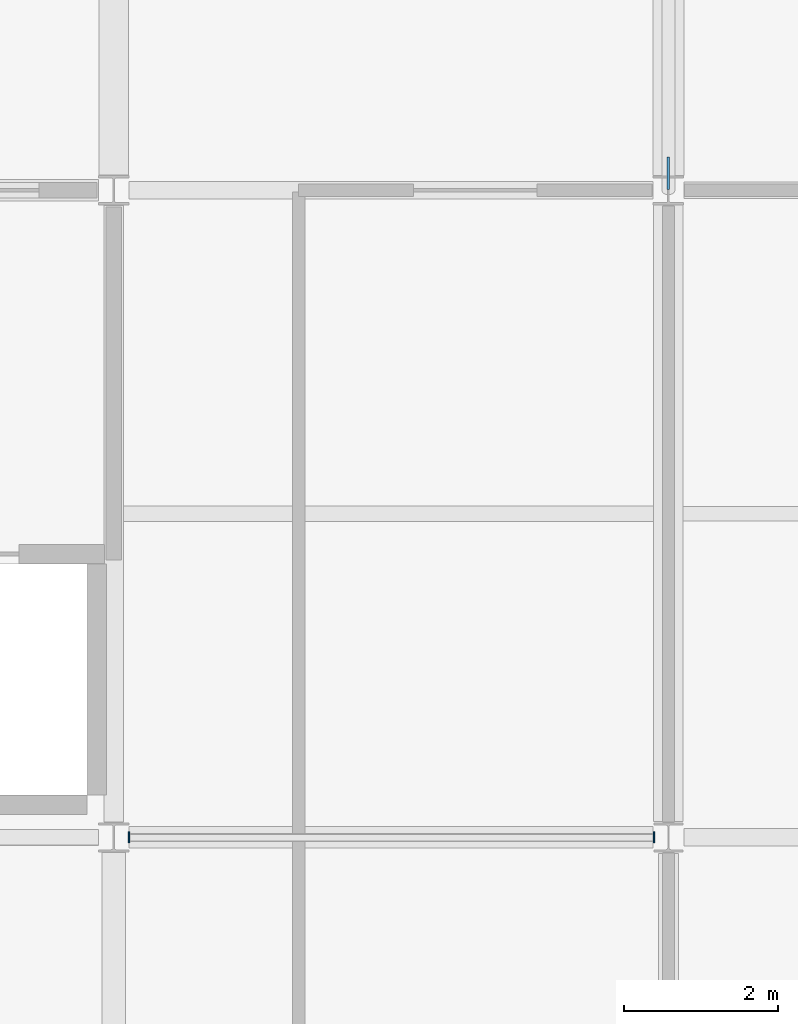
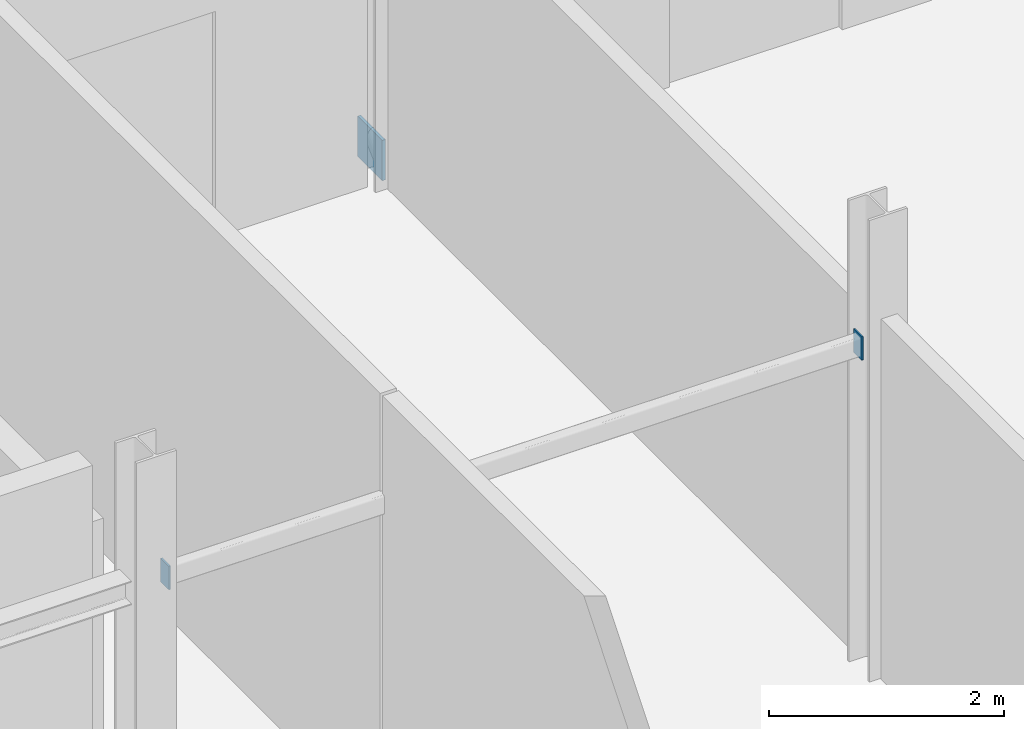
# One storey, part 155 of 186: 3 plates.
"""IFC4 building model written with IfcOpenShell, lengths in metres."""

from ifc_helpers import new_model, si_unit, direction, frame, origin, origin_2d, place, context, subcontext, project, spatial, rectangle, extrude, material, layer, layer_set, type_object, element, save


model = new_model("IFC4")

# Units and contexts
model_context = context("Model", 3, precision=1e-05, world=origin(), true_north=direction((0.0, 1.0)))
body_context = subcontext(model_context, "Body", "Model", "MODEL_VIEW")
ifc_project = project(units=[si_unit("LENGTHUNIT", "METRE"), si_unit("AREAUNIT", "SQUARE_METRE"), si_unit("VOLUMEUNIT", "CUBIC_METRE"), si_unit("PLANEANGLEUNIT", "RADIAN"), si_unit("MASSUNIT", "GRAM", prefix="KILO")], contexts=[model_context])

# Site, building, storey
site_placement = place(None, origin())
site = spatial("IfcSite", under=ifc_project, at=site_placement, CompositionType="ELEMENT")
building_placement = place(site_placement, origin())
building = spatial("IfcBuilding", under=site, at=building_placement, Name="Calvrana Isthmian Art Gallery", CompositionType="ELEMENT")
storey_placement = place(building_placement, frame((0.0, 0.0, 5.39990234375)))
storey = spatial("IfcBuildingStorey", under=building, at=storey_placement, Name="L01", CompositionType="ELEMENT", Elevation=5.39990234375)

# Plates
ifc_material = material(Name="Steel ASTM A572 Gr 50", Category="steel")
ifc_layer_1 = layer(ifc_material, 0.01611328125, Name="Steel ASTM A572 Gr 50")
ifc_layer_set_1 = layer_set([ifc_layer_1], Name="Steel ASTM A572 Gr 50")
plate_type_1 = type_object("IfcPlateType", Name="PL-CAP-16", PredefinedType="SHEET", material=ifc_layer_set_1)
for number, where, z_axis, x_axis, name in (
    (1, (134.596923828125, 30.0, 3.278564453125), (0.0, 0.0, 1.0), (1.0, 0.0, 0.0), "Hollow section end cap plate 534"),
    (2, (141.41357421875, 30.0, 3.278564453125), (0.0, 0.0, 1.0), (1.0, 0.0, 0.0), "Hollow section end cap plate 535"),
):
    element("IfcPlate", number, at=place(storey_placement, frame(where, z_axis=z_axis, x_axis=x_axis)), inside=storey, type_object=plate_type_1, Name=name, PredefinedType="SHEET", context=body_context, shape_type="SweptSolid", body=[
        extrude(rectangle(XDim=0.01611328125, YDim=0.1416015625, at=origin_2d()), origin(), (0.0, 0.0, 1.0), 0.2431640625),
    ])
ifc_layer_2 = layer(ifc_material, 0.031982421875, Name="Steel ASTM A572 Gr 50")
ifc_layer_set_2 = layer_set([ifc_layer_2], Name="Steel ASTM A572 Gr 50")
plate_type_2 = type_object("IfcPlateType", Name="PL-GUSSET-32", PredefinedType="USERDEFINED", material=ifc_layer_set_2)
plate_placement = place(storey_placement, frame((141.60009765625, 38.6201171875, -0.059814453125), z_axis=(0.0, 0.0, 1.0), x_axis=(1.0, 0.0, 0.0)))
element("IfcPlate", 3, at=plate_placement, inside=storey, type_object=plate_type_2, Name="Chevron brace gusset plate L01-8L", ObjectType="GUSSET PLATE", PredefinedType="USERDEFINED", context=body_context, shape_type="SweptSolid", body=[
    extrude(rectangle(XDim=0.031982421875, YDim=0.419921875, at=origin_2d()), origin(), (0.0, 0.0, 1.0), 0.419921875),
])

save(model, "model.ifc")
